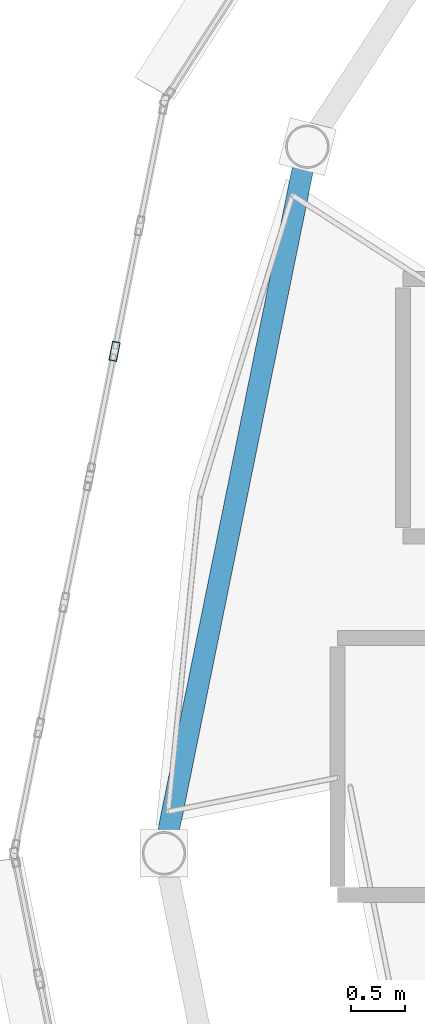
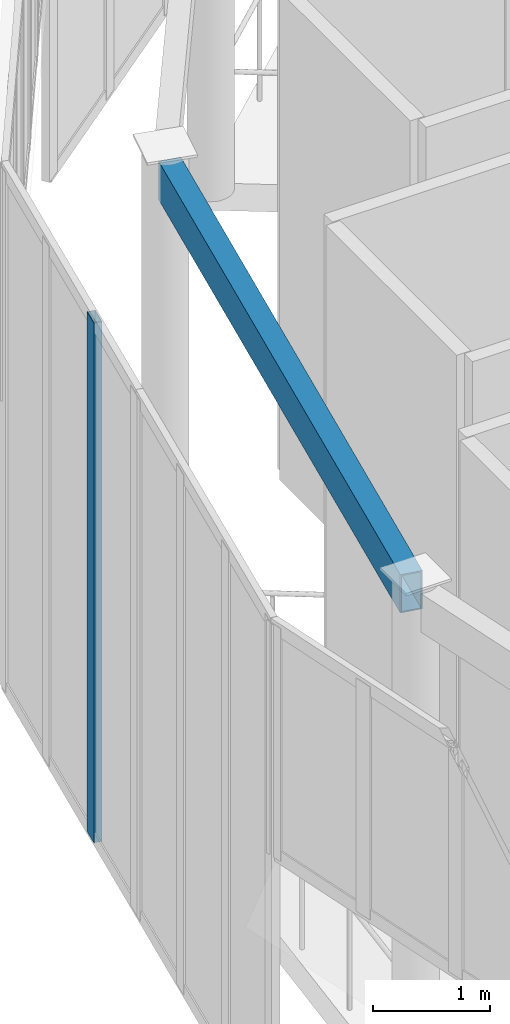
# One storey, part 41 of 98: 1 beam, 1 member, 1 element without a shape of its own.
"""IFC4 building model written with IfcOpenShell, lengths in metres."""

from ifc_helpers import new_model, si_unit, direction, frame, origin, origin_2d, place, context, subcontext, project, spatial, hollow_rectangle, extrude, material, layer, layer_set, material_profile, profile_set, type_object, element, aggregate, save


model = new_model("IFC4")

# Units and contexts
model_context = context("Model", 3, precision=1e-05, world=origin(), true_north=direction((0.0, 1.0)))
body_context = subcontext(model_context, "Body", "Model", "MODEL_VIEW")
ifc_project = project(units=[si_unit("LENGTHUNIT", "METRE"), si_unit("AREAUNIT", "SQUARE_METRE"), si_unit("VOLUMEUNIT", "CUBIC_METRE"), si_unit("PLANEANGLEUNIT", "RADIAN"), si_unit("MASSUNIT", "GRAM", prefix="KILO")], contexts=[model_context])

# Site, building, storey
site_placement = place(None, origin())
site = spatial("IfcSite", under=ifc_project, at=site_placement, CompositionType="ELEMENT")
building_placement = place(site_placement, origin())
building = spatial("IfcBuilding", under=site, at=building_placement, Name="Sollismere Congress Hotel", CompositionType="ELEMENT")
storey_placement = place(building_placement, frame((0.0, 0.0, 5.39990234375)))
storey = spatial("IfcBuildingStorey", under=building, at=storey_placement, Name="L01", CompositionType="ELEMENT", Elevation=5.39990234375)

# Beam
ifc_material_1 = material(Name="Steel ASTM A500 Grade C", Category="steel")
ifc_material_profile_1 = material_profile(ifc_material_1, hollow_rectangle(XDim=0.199951171875, YDim=0.39990234375, WallThickness=0.011962890625, at=origin_2d()), Name="HSS400X200X12")
ifc_profile_set_1 = profile_set([ifc_material_profile_1], Name="Steel ASTM A500 Grade C")
beam_type = type_object("IfcBeamType", Name="BM-BX400", PredefinedType="HOLLOWCORE", material=ifc_profile_set_1)
beam_placement = place(storey_placement, frame((2.964599609375, 96.8798828125, 5.150146484375), z_axis=(-0.198827417532, -0.980034518799, 0.0), x_axis=(0.980034518799, -0.198827417532, 0.0)))
element("IfcBeam", 1, at=beam_placement, inside=storey, type_object=beam_type, Name="Beam BM-L01-4195", PredefinedType="HOLLOWCORE", context=body_context, shape_type="SweptSolid", body=[
    extrude(hollow_rectangle(XDim=0.199951171875, YDim=0.39990234375, WallThickness=0.011962890625, at=origin_2d()), origin(), (0.0, 0.0, 1.0), 6.491943359375),
])

# Curtain wall, member
ifc_material_2 = material(Name="Anodized Bronze Curtain Wall & Low-E Triple Glazing", Category="glass")
ifc_layer = layer(ifc_material_2, 0.199951171875, Name="Anodized Bronze Curtain Wall & Low-E Triple Glazing")
ifc_layer_set = layer_set([ifc_layer], Name="Anodized Bronze Curtain Wall & Low-E Triple Glazing")
curtain_wall_type = type_object("IfcCurtainWallType", Name="CW-GLZ36", PredefinedType="USERDEFINED", material=ifc_layer_set)
curtain_wall_placement = place(storey_placement, origin())
curtain_wall = element("IfcCurtainWall", 2, at=curtain_wall_placement, inside=storey, type_object=curtain_wall_type, Name="Unitised curtain wall CW-L01-039", ObjectType="UNITISED CURTAIN WALL", PredefinedType="USERDEFINED")
ifc_material_3 = material(Name="Anodized Aluminum 6063-T6", Category="aluminium")
ifc_material_profile_2 = material_profile(ifc_material_3, hollow_rectangle(XDim=0.074951171875, YDim=0.179931640625, WallThickness=0.0048828125, at=origin_2d()), Name="ALU180X75X5")
ifc_profile_set_2 = profile_set([ifc_material_profile_2], Name="Anodized Aluminum 6063-T6")
member_type = type_object("IfcMemberType", Name="ML-CW180", PredefinedType="MULLION", material=ifc_profile_set_2)
member_placement = place(storey_placement, frame((1.18798828125, 95.086669921875, 0.0), z_axis=(0.0, 0.0, 1.0), x_axis=(0.98055305186, -0.196254203749, 0.0)))
member = element("IfcMember", 3, at=member_placement, type_object=member_type, Name="CWL-CW-L01-039-ML03", PredefinedType="MULLION", context=body_context, shape_type="SweptSolid", body=[
    extrude(hollow_rectangle(XDim=0.074951171875, YDim=0.179931640625, WallThickness=0.0048828125, at=origin_2d()), origin(), (0.0, 0.0, 1.0), 5.420166015625),
])
aggregate(curtain_wall, [member])

save(model, "model.ifc")
